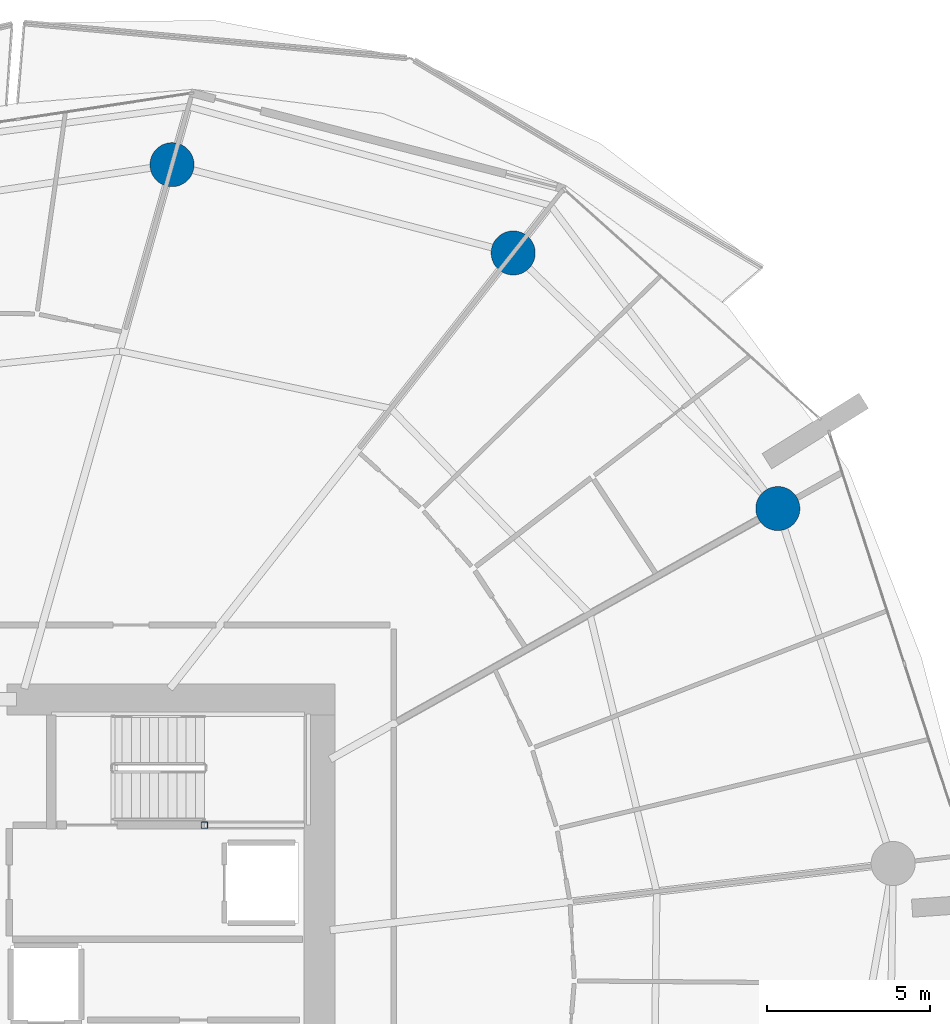
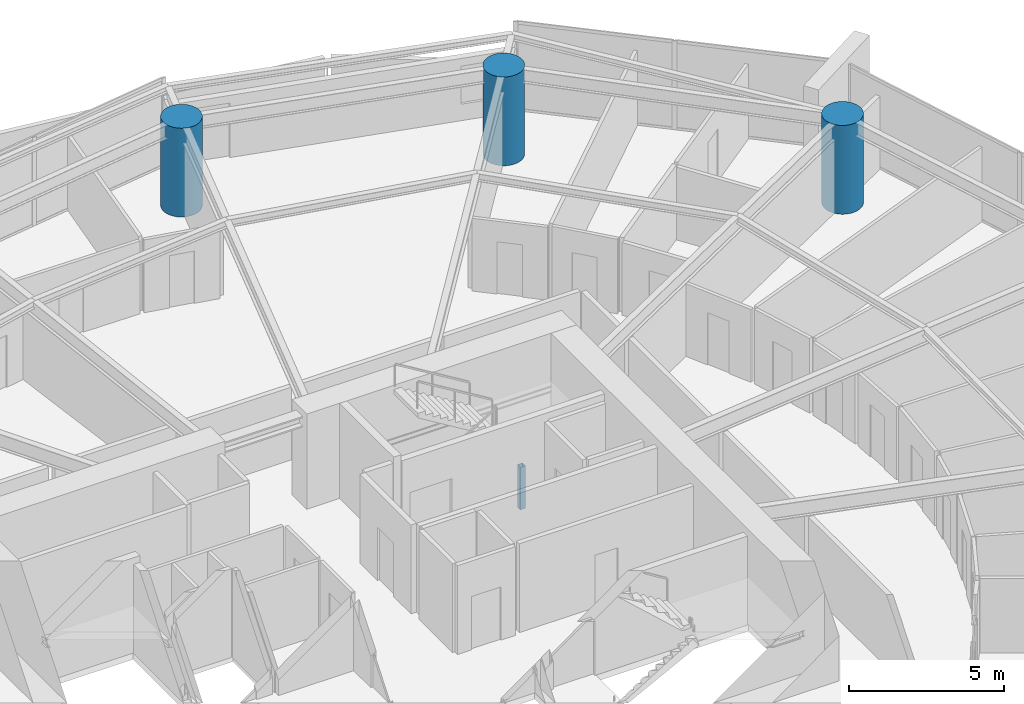
# One storey, part 5 of 31: 4 columns.
"""IFC4 building model written with IfcOpenShell, lengths in metres."""

from ifc_helpers import new_model, si_unit, direction, frame, origin, origin_2d, place, context, subcontext, project, spatial, hollow_rectangle, circle, extrude, material, material_profile, profile_set, type_object, element, save


model = new_model("IFC4")

# Units and contexts
model_context = context("Model", 3, precision=1e-05, world=origin(), true_north=direction((0.0, 1.0)))
body_context = subcontext(model_context, "Body", "Model", "MODEL_VIEW")
ifc_project = project(units=[si_unit("LENGTHUNIT", "METRE"), si_unit("AREAUNIT", "SQUARE_METRE"), si_unit("VOLUMEUNIT", "CUBIC_METRE"), si_unit("PLANEANGLEUNIT", "RADIAN"), si_unit("MASSUNIT", "GRAM", prefix="KILO")], contexts=[model_context])

# Site, building, storey
site_placement = place(None, origin())
site = spatial("IfcSite", under=ifc_project, at=site_placement, CompositionType="ELEMENT")
building_placement = place(site_placement, origin())
building = spatial("IfcBuilding", under=site, at=building_placement, Name="Kazma Halo Residences", CompositionType="ELEMENT")
storey_placement = place(building_placement, frame((0.0, 0.0, 60.14990234375)))
storey = spatial("IfcBuildingStorey", under=building, at=storey_placement, Name="L14", CompositionType="ELEMENT", Elevation=60.14990234375)

# Columns
ifc_material_1 = material(Name="Steel S355", Category="steel")
ifc_material_profile_1 = material_profile(ifc_material_1, hollow_rectangle(XDim=0.199951171875, YDim=0.199951171875, WallThickness=0.010009765625, InnerFilletRadius=0.010009765625, OuterFilletRadius=0.02001953125, at=origin_2d()), Name="SHS200x200x10")
ifc_profile_set_1 = profile_set([ifc_material_profile_1], Name="Steel S355")
column_type_1 = type_object("IfcColumnType", Name="COL-LP-SHS200", PredefinedType="COLUMN", material=ifc_profile_set_1)
column_placement = place(storey_placement, frame((56.0, 46.6201171875, 0.0), z_axis=(0.0, 0.0, 1.0), x_axis=(1.0, 0.0, 0.0)))
element("IfcColumn", 1, at=column_placement, inside=storey, type_object=column_type_1, Name="L14 ST-02 landing pilaster 1", PredefinedType="COLUMN", context=body_context, shape_type="SweptSolid", body=[
    extrude(hollow_rectangle(XDim=0.199951171875, YDim=0.199951171875, WallThickness=0.010009765625, InnerFilletRadius=0.010009765625, OuterFilletRadius=0.02001953125, at=origin_2d()), origin(), (0.0, 0.0, 1.0), 1.670166015625),
])
ifc_material_2 = material(Name="Concrete C80/95", Category="concrete")
ifc_material_profile_2 = material_profile(ifc_material_2, circle(Radius=0.675048828125, at=origin_2d()), Name="CIRC1350")
ifc_profile_set_2 = profile_set([ifc_material_profile_2], Name="Concrete C80/95")
column_type_2 = type_object("IfcColumnType", Name="COL-PERIM-1350", PredefinedType="COLUMN", material=ifc_profile_set_2)
for number, where, z_axis, x_axis, name in (
    (2, (73.56494140625, 56.317138671875, 0.0), (0.0, 0.0, 1.0), (1.0, 0.0, 0.0), "L14 perimeter ring column P01"),
    (3, (65.458251953125, 64.145751953125, 0.0), (0.0, 0.0, 1.0), (1.0, 0.0, 0.0), "L14 perimeter ring column P02"),
    (4, (55.00830078125, 66.849365234375, 0.0), (0.0, 0.0, 1.0), (1.0, 0.0, 0.0), "L14 perimeter ring column P03"),
):
    element("IfcColumn", number, at=place(storey_placement, frame(where, z_axis=z_axis, x_axis=x_axis)), inside=storey, type_object=column_type_2, Name=name, PredefinedType="COLUMN", context=body_context, shape_type="SweptSolid", body=[
        extrude(circle(Radius=0.675048828125, at=origin_2d()), origin(), (0.0, 0.0, 1.0), 3.5),
    ])

save(model, "model.ifc")
